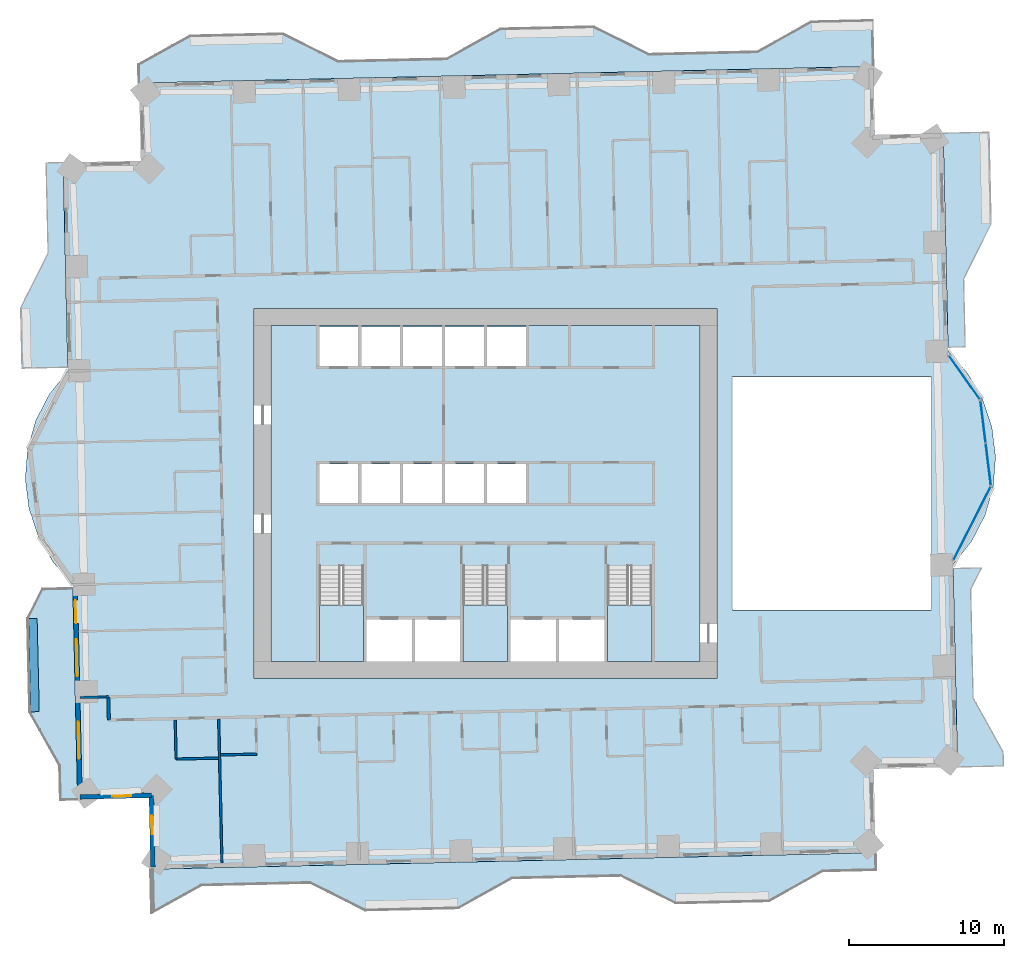
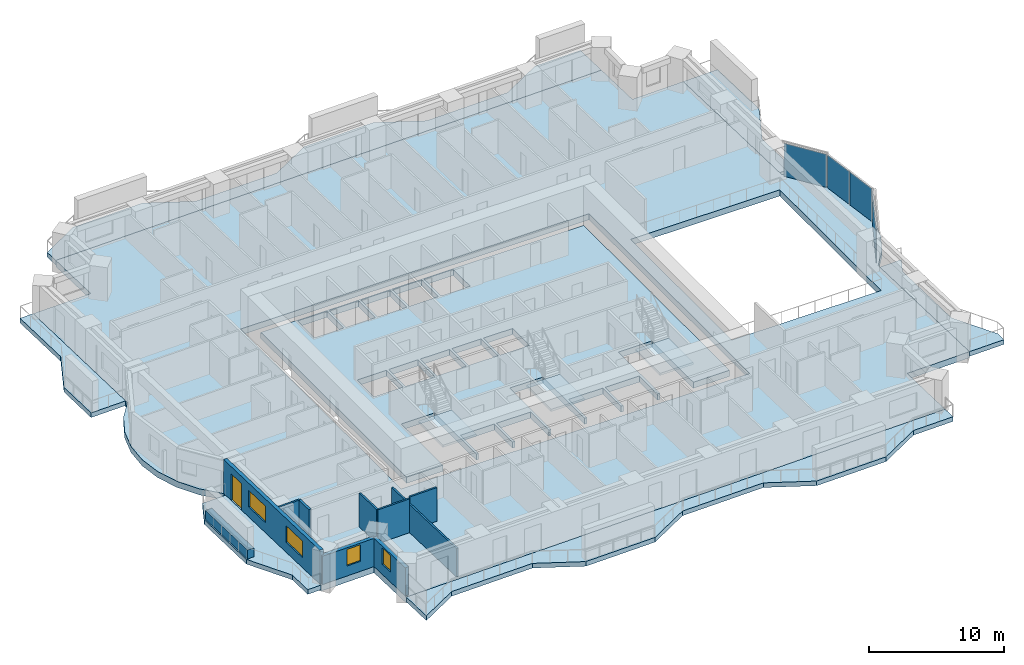
# One storey, part 5 of 17: 11 slabs, 10 walls, 4 plates, 4 windows, 1 door, 5 openings, 6 elements without a shape of their own.
"""IFC4 building model written with IfcOpenShell, lengths in metres."""

from ifc_helpers import new_model, si_unit, direction, frame, frame_2d, origin, origin_2d, place, context, subcontext, project, spatial, polyline, rectangle, outline, extrude, material, layer, layer_set, type_object, element, fill, aggregate, save


model = new_model("IFC4")

# Units and contexts
model_context = context("Model", 3, precision=1e-05, world=origin(), true_north=direction((0.0, 1.0)))
body_context = subcontext(model_context, "Body", "Model", "MODEL_VIEW")
ifc_project = project(units=[si_unit("LENGTHUNIT", "METRE"), si_unit("AREAUNIT", "SQUARE_METRE"), si_unit("VOLUMEUNIT", "CUBIC_METRE"), si_unit("PLANEANGLEUNIT", "RADIAN"), si_unit("MASSUNIT", "GRAM", prefix="KILO")], contexts=[model_context])

# Site, building, storey
site_placement = place(None, origin())
site = spatial("IfcSite", under=ifc_project, at=site_placement, CompositionType="ELEMENT")
building_placement = place(site_placement, origin())
building = spatial("IfcBuilding", under=site, at=building_placement, Name="Mangrove Gate Tower", CompositionType="ELEMENT")
storey_placement = place(building_placement, frame((0.0, 0.0, 86.5)))
storey = spatial("IfcBuildingStorey", under=building, at=storey_placement, Name="L21", CompositionType="ELEMENT", Elevation=86.5)

# Curtain wall, plate
ifc_material_1 = material(Name="Aluminium and glass curtain wall", Category="aluminium")
curtain_wall_type = type_object("IfcCurtainWallType", Name="Atrium garden-court glazing wall", PredefinedType="NOTDEFINED", material=ifc_material_1)
curtain_wall_1_placement = place(storey_placement, origin())
curtain_wall_1 = element("IfcCurtainWall", 1, at=curtain_wall_1_placement, inside=storey, type_object=curtain_wall_type, Name="Atrium garden-court glazing E1f1", PredefinedType="NOTDEFINED")
ifc_material_2 = material(Name="Laminated low-e glass", Category="glass")
ifc_layer_1 = layer(ifc_material_2, 0.031982421875)
ifc_layer_set_1 = layer_set([ifc_layer_1], Name="Atrium garden-court glazing panel 32")
plate_type = type_object("IfcPlateType", Name="Atrium garden-court glazing panel 32", PredefinedType="CURTAIN_PANEL", material=ifc_layer_set_1)
plate_1_placement = place(storey_placement, frame((31.310791015625, -1.928466796875, 0.0), z_axis=(0.0, 0.0, 1.0), x_axis=(0.452580762064, 0.891723417776, 0.0)))
plate_1 = element("IfcPlate", 2, at=plate_1_placement, type_object=plate_type, Name="CWA panel 1.1", PredefinedType="CURTAIN_PANEL", context=body_context, shape_type="SweptSolid", body=[
    extrude(rectangle(XDim=5.257568359375, YDim=0.031982421875, at=origin_2d()), origin(), (0.0, 0.0, 1.0), 2.97998046875),
])
aggregate(curtain_wall_1, [plate_1])

# Curtain wall, plates
curtain_wall_2_placement = place(storey_placement, origin())
curtain_wall_2 = element("IfcCurtainWall", 3, at=curtain_wall_2_placement, inside=storey, type_object=curtain_wall_type, Name="Atrium garden-court glazing E1f2", PredefinedType="NOTDEFINED")
plate_2_placement = place(storey_placement, frame((32.35986328125, 1.87841796875, 0.0), z_axis=(0.0, 0.0, 1.0), x_axis=(-0.122172286076, 0.992508908028, 0.0)))
plate_2 = element("IfcPlate", 4, at=plate_2_placement, type_object=plate_type, Name="CWA panel 1.1", PredefinedType="CURTAIN_PANEL", context=body_context, shape_type="SweptSolid", body=[
    extrude(rectangle(XDim=2.681640625, YDim=0.031982421875, at=origin_2d()), origin(), (0.0, 0.0, 1.0), 2.97998046875),
])
plate_3_placement = place(storey_placement, frame((32.023681640625, 4.609619140625, 0.0), z_axis=(0.0, 0.0, 1.0), x_axis=(-0.122172286076, 0.992508908028, 0.0)))
plate_3 = element("IfcPlate", 5, at=plate_3_placement, type_object=plate_type, Name="CWA panel 2.1", PredefinedType="CURTAIN_PANEL", context=body_context, shape_type="SweptSolid", body=[
    extrude(rectangle(XDim=2.681640625, YDim=0.031982421875, at=origin_2d()), origin(), (0.0, 0.0, 1.0), 2.97998046875),
])
aggregate(curtain_wall_2, [plate_2, plate_3])

# Curtain wall, plate
curtain_wall_3_placement = place(storey_placement, origin())
curtain_wall_3 = element("IfcCurtainWall", 6, at=curtain_wall_3_placement, inside=storey, type_object=curtain_wall_type, Name="Atrium garden-court glazing E1f3", PredefinedType="NOTDEFINED")
plate_4_placement = place(storey_placement, frame((30.81982421875, 7.465576171875, 0.0), z_axis=(0.0, 0.0, 1.0), x_axis=(-0.578109291006, 0.815959341911, 0.0)))
plate_4 = element("IfcPlate", 7, at=plate_4_placement, type_object=plate_type, Name="CWA panel 1.1", PredefinedType="CURTAIN_PANEL", context=body_context, shape_type="SweptSolid", body=[
    extrude(rectangle(XDim=3.42822265625, YDim=0.031982421875, at=origin_2d()), origin(), (0.0, 0.0, 1.0), 2.97998046875),
])
aggregate(curtain_wall_3, [plate_4])

# Slabs
ifc_material_3 = material(Name="Porcelain tile")
ifc_layer_2 = layer(ifc_material_3, 0.02001953125, Name="Tile finish")
ifc_material_4 = material(Name="Cement sand screed")
ifc_layer_3 = layer(ifc_material_4, 0.0400390625, Name="Screed laid to falls")
ifc_material_5 = material(Name="Bituminous waterproofing membrane")
ifc_layer_4 = layer(ifc_material_5, 0.00390625, Name="Waterproofing")
ifc_material_6 = material(Name="Concrete C40/50", Category="concrete")
ifc_layer_5 = layer(ifc_material_6, 0.340087890625, Name="Balcony structural slab")
ifc_material_7 = material(Name="Limestone", Category="masonry")
ifc_layer_6 = layer(ifc_material_7, 0.01611328125, Name="Soffit lining")
ifc_layer_set_2 = layer_set([ifc_layer_2, ifc_layer_3, ifc_layer_4, ifc_layer_5, ifc_layer_6], Name="Balcony slab 420 C40/50")
slab_type_1 = type_object("IfcSlabType", Name="Balcony slab 420 C40/50", PredefinedType="FLOOR", material=ifc_layer_set_2)
slab_1_placement = place(storey_placement, frame((0.0, 0.0, -0.419921875)))
element("IfcSlab", 8, at=slab_1_placement, inside=storey, type_object=slab_type_1, Name="BALCONY L21 E0", PredefinedType="FLOOR", context=body_context, shape_type="SweptSolid", body=[
    extrude(outline(polyline([(33.368896484375, -17.533935546875), (33.34912109375, -16.634033203125), (31.419921875, -13.177001953125), (31.260986328125, -6.178955078125), (31.9560546875, -4.7880859375), (30.090087890625, -4.8310546875), (30.1220703125, -6.205078125), (30.280029296875, -13.202880859375), (30.360107421875, -16.701904296875), (30.3798828125, -17.60205078125), (33.368896484375, -17.533935546875)])), origin(), (0.0, 0.0, 1.0), 0.419921875),
])
slab_2_placement = place(storey_placement, frame((0.0, 0.0, -0.419921875)))
element("IfcSlab", 9, at=slab_2_placement, inside=storey, type_object=slab_type_1, Name="BALCONY L21 E1", PredefinedType="FLOOR", context=body_context, shape_type="SweptSolid", body=[
    extrude(outline(polyline([(30.906982421875, 9.44189453125), (30.80810546875, 13.81591796875), (32.577880859375, 17.35693359375), (32.444091796875, 23.2548828125), (29.455078125, 23.18701171875), (29.587890625, 17.2890625), (29.66796875, 13.7900390625), (29.76708984375, 9.416015625), (30.906982421875, 9.44189453125)])), origin(), (0.0, 0.0, 1.0), 0.419921875),
])
slab_3_placement = place(storey_placement, frame((0.0, 0.0, -0.419921875)))
element("IfcSlab", 10, at=slab_3_placement, inside=storey, type_object=slab_type_1, Name="BALCONY L21 N0", PredefinedType="FLOOR", context=body_context, shape_type="SweptSolid", body=[
    extrude(outline(polyline([(24.887939453125, 30.47607421875), (20.952880859375, 30.385986328125), (17.49609375, 28.4580078125), (10.498046875, 28.299072265625), (6.95703125, 30.069091796875), (0.9580078125, 29.93310546875), (-2.4990234375, 28.00390625), (-9.4970703125, 27.845947265625), (-13.0380859375, 29.614990234375), (-19.037109375, 29.47900390625), (-22.33203125, 27.639892578125), (-22.303955078125, 26.4140625), (24.9560546875, 27.487060546875), (24.887939453125, 30.47607421875)])), origin(), (0.0, 0.0, 1.0), 0.419921875),
])
slab_4_placement = place(storey_placement, frame((0.0, 0.0, -0.419921875)))
element("IfcSlab", 11, at=slab_4_placement, inside=storey, type_object=slab_type_1, Name="BALCONY L21 W0", PredefinedType="FLOOR", context=body_context, shape_type="SweptSolid", body=[
    extrude(outline(polyline([(-28.3291015625, 21.27587890625), (-28.197021484375, 15.47802734375), (-29.967041015625, 11.93603515625), (-29.8798828125, 8.06298828125), (-26.889892578125, 8.131103515625), (-26.97802734375, 12.00390625), (-27.05810546875, 15.5029296875), (-27.18896484375, 21.302001953125), (-28.3291015625, 21.27587890625)])), origin(), (0.0, 0.0, 1.0), 0.419921875),
])
slab_5_placement = place(storey_placement, frame((0.0, 0.0, -0.419921875)))
element("IfcSlab", 12, at=slab_5_placement, inside=storey, type_object=slab_type_1, Name="BALCONY L21 W1", PredefinedType="FLOOR", context=body_context, shape_type="SweptSolid", body=[
    extrude(outline(polyline([(-28.56591796875, -6.162109375), (-29.513916015625, -8.05810546875), (-29.3779296875, -14.056884765625), (-27.448974609375, -17.513916015625), (-27.39892578125, -19.712890625), (-26.259033203125, -19.68798828125), (-26.30908203125, -17.488037109375), (-26.387939453125, -13.989013671875), (-26.52490234375, -7.990966796875), (-26.56689453125, -6.115966796875), (-28.56591796875, -6.162109375)])), origin(), (0.0, 0.0, 1.0), 0.419921875),
])
slab_6_placement = place(storey_placement, frame((0.0, 0.0, -0.419921875)))
element("IfcSlab", 13, at=slab_6_placement, inside=storey, type_object=slab_type_1, Name="BALCONY L21 S0", PredefinedType="FLOOR", context=body_context, shape_type="SweptSolid", body=[
    extrude(outline(polyline([(-21.490966796875, -27.031982421875), (-18.294921875, -25.248046875), (-11.297119140625, -25.089111328125), (-7.756103515625, -26.860107421875), (-1.757080078125, -26.722900390625), (1.699951171875, -24.794921875), (8.697998046875, -24.636962890625), (12.239013671875, -26.406005859375), (18.238037109375, -26.27001953125), (21.695068359375, -24.341064453125), (25.1298828125, -24.262939453125), (25.10400390625, -23.123046875), (-21.555908203125, -24.181884765625), (-21.490966796875, -27.031982421875)])), origin(), (0.0, 0.0, 1.0), 0.419921875),
])
ifc_material_8 = material(Name="Concrete C40/50", Category="concrete")
ifc_layer_7 = layer(ifc_material_8, 0.550048828125)
ifc_layer_set_3 = layer_set([ifc_layer_7], Name="Core floor slab 550 C40/50")
slab_type_2 = type_object("IfcSlabType", Name="Core floor slab 550 C40/50", PredefinedType="FLOOR", material=ifc_layer_set_3)
slab_7_placement = place(storey_placement, frame((0.0, 0.0, -0.550048828125)))
element("IfcSlab", 14, at=slab_7_placement, inside=storey, type_object=slab_type_2, Name="SLAB-L21-CORE-1", PredefinedType="FLOOR", context=body_context, shape_type="SweptSolid", body=[
    extrude(outline(polyline([(-13.800048828125, -10.800048828125), (-13.800048828125, 10.800048828125), (13.800048828125, 10.800048828125), (13.800048828125, -10.800048828125), (10.699951171875, -10.800048828125), (10.699951171875, -4.653076171875), (7.85009765625, -4.653076171875), (7.85009765625, -10.800048828125), (7.64990234375, -10.800048828125), (7.64990234375, -8.10009765625), (4.72509765625, -8.10009765625), (4.72509765625, -10.800048828125), (4.52490234375, -10.800048828125), (4.52490234375, -8.10009765625), (1.60009765625, -8.10009765625), (1.60009765625, -10.800048828125), (1.39990234375, -10.800048828125), (1.39990234375, -4.653076171875), (-1.449951171875, -4.653076171875), (-1.449951171875, -10.800048828125), (-1.64990234375, -10.800048828125), (-1.64990234375, -8.10009765625), (-4.550048828125, -8.10009765625), (-4.550048828125, -10.800048828125), (-4.75, -10.800048828125), (-4.75, -8.10009765625), (-7.64990234375, -8.10009765625), (-7.64990234375, -10.800048828125), (-7.85009765625, -10.800048828125), (-7.85009765625, -4.653076171875), (-10.699951171875, -4.653076171875), (-10.699951171875, -10.800048828125), (-13.800048828125, -10.800048828125)]), holes=[polyline([(-8.199951171875, -0.60009765625), (-8.199951171875, 1.89990234375), (-10.699951171875, 1.89990234375), (-10.699951171875, -0.60009765625), (-8.199951171875, -0.60009765625)]), polyline([(-5.5, -0.60009765625), (-5.5, 1.89990234375), (-8.0, 1.89990234375), (-8.0, -0.60009765625), (-5.5, -0.60009765625)]), polyline([(-2.800048828125, -0.60009765625), (-2.800048828125, 1.89990234375), (-5.300048828125, 1.89990234375), (-5.300048828125, -0.60009765625), (-2.800048828125, -0.60009765625)]), polyline([(-8.199951171875, 8.199951171875), (-8.199951171875, 10.699951171875), (-10.699951171875, 10.699951171875), (-10.699951171875, 8.199951171875), (-8.199951171875, 8.199951171875)]), polyline([(-5.5, 8.199951171875), (-5.5, 10.699951171875), (-8.0, 10.699951171875), (-8.0, 8.199951171875), (-5.5, 8.199951171875)]), polyline([(-2.800048828125, 8.199951171875), (-2.800048828125, 10.699951171875), (-5.300048828125, 10.699951171875), (-5.300048828125, 8.199951171875), (-2.800048828125, 8.199951171875)]), polyline([(-0.10009765625, -0.60009765625), (-0.10009765625, 1.89990234375), (-2.60009765625, 1.89990234375), (-2.60009765625, -0.60009765625), (-0.10009765625, -0.60009765625)]), polyline([(2.60009765625, -0.60009765625), (2.60009765625, 1.89990234375), (0.10009765625, 1.89990234375), (0.10009765625, -0.60009765625), (2.60009765625, -0.60009765625)]), polyline([(-2.60009765625, 8.199951171875), (-0.10009765625, 8.199951171875), (-0.10009765625, 10.699951171875), (-2.60009765625, 10.699951171875), (-2.60009765625, 8.199951171875)]), polyline([(0.10009765625, 8.199951171875), (2.60009765625, 8.199951171875), (2.60009765625, 10.699951171875), (0.10009765625, 10.699951171875), (0.10009765625, 8.199951171875)])]), origin(), (0.0, 0.0, 1.0), 0.550048828125),
])

# Stair, slab
ifc_material_9 = material(Name="Concrete C40/50", Category="concrete")
stair_type = type_object("IfcStairType", Name="Core stair 1350", PredefinedType="HALF_TURN_STAIR", material=ifc_material_9)
stair_1_placement = place(storey_placement, origin())
stair_1 = element("IfcStair", 15, at=stair_1_placement, inside=storey, type_object=stair_type, Name="L21 Stair 1", PredefinedType="HALF_TURN_STAIR")
ifc_material_10 = material(Name="Concrete C40/50", Category="concrete")
ifc_layer_8 = layer(ifc_material_10, 0.199951171875)
ifc_layer_set_4 = layer_set([ifc_layer_8], Name="Core stair landing 200")
slab_type_3 = type_object("IfcSlabType", Name="Core stair landing 200", PredefinedType="LANDING", material=ifc_layer_set_4)
slab_8_placement = place(storey_placement, frame((0.0, 0.0, 1.60009765625)))
slab_8 = element("IfcSlab", 16, at=slab_8_placement, type_object=slab_type_3, Name="ST1 landing 1", PredefinedType="LANDING", context=body_context, shape_type="SweptSolid", body=[
    extrude(outline(polyline([(-10.699951171875, -7.169921875), (-10.699951171875, -10.800048828125), (-7.85009765625, -10.800048828125), (-7.85009765625, -7.169921875), (-10.699951171875, -7.169921875)])), origin(), (0.0, 0.0, 1.0), 0.199951171875),
])
aggregate(stair_1, [slab_8])

stair_2_placement = place(storey_placement, origin())
stair_2 = element("IfcStair", 17, at=stair_2_placement, inside=storey, type_object=stair_type, Name="L21 Stair 2", PredefinedType="HALF_TURN_STAIR")
slab_9_placement = place(storey_placement, frame((0.0, 0.0, 1.60009765625)))
slab_9 = element("IfcSlab", 18, at=slab_9_placement, type_object=slab_type_3, Name="ST2 landing 1", PredefinedType="LANDING", context=body_context, shape_type="SweptSolid", body=[
    extrude(outline(polyline([(-1.449951171875, -7.169921875), (-1.449951171875, -10.800048828125), (1.39990234375, -10.800048828125), (1.39990234375, -7.169921875), (-1.449951171875, -7.169921875)])), origin(), (0.0, 0.0, 1.0), 0.199951171875),
])
aggregate(stair_2, [slab_9])

stair_3_placement = place(storey_placement, origin())
stair_3 = element("IfcStair", 19, at=stair_3_placement, inside=storey, type_object=stair_type, Name="L21 Stair 3", PredefinedType="HALF_TURN_STAIR")
slab_10_placement = place(storey_placement, frame((0.0, 0.0, 1.60009765625)))
slab_10 = element("IfcSlab", 20, at=slab_10_placement, type_object=slab_type_3, Name="ST3 landing 1", PredefinedType="LANDING", context=body_context, shape_type="SweptSolid", body=[
    extrude(outline(polyline([(7.85009765625, -7.169921875), (7.85009765625, -10.800048828125), (10.699951171875, -10.800048828125), (10.699951171875, -7.169921875), (7.85009765625, -7.169921875)])), origin(), (0.0, 0.0, 1.0), 0.199951171875),
])
aggregate(stair_3, [slab_10])

# Slab
ifc_material_11 = material(Name="Concrete C40/50", Category="concrete")
ifc_layer_9 = layer(ifc_material_11, 0.550048828125)
ifc_layer_set_5 = layer_set([ifc_layer_9], Name="Floor slab 550 C40/50")
slab_type_4 = type_object("IfcSlabType", Name="Floor slab 550 C40/50", PredefinedType="FLOOR", material=ifc_layer_set_5)
slab_11_placement = place(storey_placement, frame((0.0, 0.0, -0.550048828125)))
element("IfcSlab", 21, at=slab_11_placement, inside=storey, type_object=slab_type_4, Name="Floor slab L21", PredefinedType="FLOOR", context=body_context, shape_type="SweptSolid", body=[
    extrude(outline(polyline([(-21.555908203125, -24.181884765625), (25.10400390625, -23.123046875), (24.981689453125, -17.724609375), (30.380126953125, -17.60205078125), (30.084716796875, -4.58056640625), (31.28125, -3.08837890625), (32.158203125, -1.388427734375), (32.6806640625, 0.45166015625), (32.827880859375, 2.358642578125), (32.59423828125, 4.257080078125), (31.98876953125, 6.071533203125), (31.03564453125, 7.72998046875), (29.772705078125, 9.16650390625), (29.45458984375, 23.1875), (25.0556640625, 23.087646484375), (24.955810546875, 27.486572265625), (-22.303955078125, 26.4140625), (-22.1904296875, 21.415283203125), (-27.189208984375, 21.302001953125), (-26.884765625, 7.880615234375), (-28.081298828125, 6.388427734375), (-28.958251953125, 4.6884765625), (-29.480712890625, 2.848388671875), (-29.6279296875, 0.94140625), (-29.394287109375, -0.95703125), (-28.788818359375, -2.771484375), (-27.835693359375, -4.429931640625), (-26.57275390625, -5.866455078125), (-26.259033203125, -19.6875), (-21.66015625, -19.583251953125), (-21.555908203125, -24.181884765625)]), holes=[polyline([(15.89990234375, 7.5), (28.658935546875, 7.5), (28.658935546875, -7.5), (15.89990234375, -7.5), (15.89990234375, 7.5)]), polyline([(-14.89990234375, -11.89990234375), (-14.89990234375, 11.89990234375), (14.89990234375, 11.89990234375), (14.89990234375, -11.89990234375), (-14.89990234375, -11.89990234375)])]), origin(), (0.0, 0.0, 1.0), 0.550048828125),
])

# Wall
ifc_material_12 = material(Name="Gypsum board on steel stud, EI 60", Category="steel")
ifc_layer_10 = layer(ifc_material_12, 0.199951171875)
ifc_layer_set_6 = layer_set([ifc_layer_10], Name="Corridor wall EI 60")
wall_type_1 = type_object("IfcWallType", Name="Corridor wall EI 60", PredefinedType="PARTITIONING", material=ifc_layer_set_6)
wall_1_placement = place(storey_placement, frame((-24.248046875, -14.591064453125, 0.0), z_axis=(0.0, 0.0, 1.0), x_axis=(-0.022617910375, 0.999744182344, 0.0)))
element("IfcWall", 22, at=wall_1_placement, inside=storey, type_object=wall_type_1, Name="WALL-L21-031", PredefinedType="PARTITIONING", context=body_context, shape_type="SweptSolid", body=[
    extrude(rectangle(XDim=1.50048828125, YDim=0.199951171875, at=frame_2d((0.750244140625, 0.0))), origin(), (0.0, 0.0, 1.0), 3.050048828125),
])

# Wall, openings, door, windows
ifc_layer_11 = layer(ifc_material_7, 0.0400390625, Name="Limestone cladding")
ifc_material_13 = material(Name="Ventilated air gap")
ifc_layer_12 = layer(ifc_material_13, 0.0400390625, Name="Ventilated cavity")
ifc_material_14 = material(Name="Mineral wool insulation")
ifc_layer_13 = layer(ifc_material_14, 0.06005859375, Name="Insulation")
ifc_material_15 = material(Name="Breather membrane")
ifc_layer_14 = layer(ifc_material_15, 0.001953125, Name="Breather membrane")
ifc_material_16 = material(Name="Concrete C20/25 blockwork", Category="masonry")
ifc_layer_15 = layer(ifc_material_16, 0.14990234375, Name="Blockwork backing wall")
ifc_material_17 = material(Name="Gypsum plaster")
ifc_layer_16 = layer(ifc_material_17, 0.008056640625, Name="Internal plaster")
ifc_layer_set_7 = layer_set([ifc_layer_11, ifc_layer_12, ifc_layer_13, ifc_layer_14, ifc_layer_15, ifc_layer_16], Name="External wall 300 limestone cladding")
wall_type_2 = type_object("IfcWallType", Name="External wall 300 limestone cladding", PredefinedType="SOLIDWALL", material=ifc_layer_set_7)
wall_2_placement = place(storey_placement, frame((-26.424072265625, -5.80810546875, 0.0), z_axis=(0.0, 0.0, 1.0), x_axis=(0.022654755793, -0.999743348085, 0.0)))
wall_2 = element("IfcWall", 23, at=wall_2_placement, inside=storey, type_object=wall_type_2, Name="WALL-L21-W10", PredefinedType="SOLIDWALL", context=body_context, shape_type="SweptSolid", body=[
    extrude(rectangle(XDim=13.729248046875, YDim=0.300048828125, at=frame_2d((6.86474609375, 0.0))), origin(), (0.0, 0.0, 1.0), 3.050048828125),
])
opening_1_placement = place(wall_2_placement, frame((1.053955078125, 0.0, 0.0)))
opening_1 = element("IfcOpeningElement", 24, at=opening_1_placement, cuts=wall_2, Name="Opening BD1", PredefinedType="OPENING", context=body_context, shape_type="SweptSolid", body=[
    extrude(rectangle(XDim=1.5, YDim=2.39990234375, at=frame_2d((0.75, 1.199951171875))), frame((0.0, 0.159912109375, 0.0), z_axis=(0.0, -1.0, 0.0), x_axis=(1.0, 0.0, 0.0)), (0.0, 0.0, 1.0), 0.320068359375),
])
opening_2_placement = place(wall_2_placement, frame((3.56005859375, 0.0, 0.89990234375)))
opening_2 = element("IfcOpeningElement", 25, at=opening_2_placement, cuts=wall_2, Name="Opening W2", PredefinedType="OPENING", context=body_context, shape_type="SweptSolid", body=[
    extrude(rectangle(XDim=2.39990234375, YDim=1.5, at=frame_2d((1.199951171875, 0.75))), frame((0.0, 0.159912109375, 0.0), z_axis=(0.0, -1.0, 0.0), x_axis=(1.0, 0.0, 0.0)), (0.0, 0.0, 1.0), 0.320068359375),
])
opening_3_placement = place(wall_2_placement, frame((8.882080078125, 0.0, 0.89990234375)))
opening_3 = element("IfcOpeningElement", 26, at=opening_3_placement, cuts=wall_2, Name="Opening W2", PredefinedType="OPENING", context=body_context, shape_type="SweptSolid", body=[
    extrude(rectangle(XDim=2.39990234375, YDim=1.5, at=frame_2d((1.199951171875, 0.75))), frame((0.0, 0.159912109375, 0.0), z_axis=(0.0, -1.0, 0.0), x_axis=(1.0, 0.0, 0.0)), (0.0, 0.0, 1.0), 0.320068359375),
])
ifc_material_18 = material(Name="Aluminium frame with laminated clear glass", Category="aluminium")
door_type = type_object("IfcDoorType", Name="Balcony sliding door 1500x2400", OperationType="SLIDING_TO_LEFT", PredefinedType="DOOR", material=ifc_material_18)
door_placement = place(opening_1_placement, origin())
door = element("IfcDoor", 27, at=door_placement, inside=storey, type_object=door_type, Name="DOOR-L21-W10-1", OperationType="SLIDING_TO_LEFT", OverallHeight=2.39990234375, OverallWidth=1.5, PredefinedType="DOOR", context=body_context, shape_type="SweptSolid", body=[
    extrude(rectangle(XDim=1.5, YDim=2.39990234375, at=frame_2d((0.75, 1.199951171875))), frame((0.0, 0.02490234375, 0.0), z_axis=(0.0, -1.0, 0.0), x_axis=(1.0, 0.0, 0.0)), (0.0, 0.0, 1.0), 0.050048828125),
])
fill(opening_1, door)
ifc_material_19 = material(Name="Aluminium frame with double-glazed low-e glass", Category="aluminium")
window_type_1 = type_object("IfcWindowType", Name="Corner room window 2400x1500", PartitioningType="DOUBLE_PANEL_VERTICAL", PredefinedType="WINDOW", material=ifc_material_19)
window_1_placement = place(opening_2_placement, origin())
window_1 = element("IfcWindow", 28, at=window_1_placement, inside=storey, type_object=window_type_1, Name="WIN-L21-W10-2", OverallHeight=1.5, OverallWidth=2.39990234375, PartitioningType="DOUBLE_PANEL_VERTICAL", PredefinedType="WINDOW", context=body_context, shape_type="SweptSolid", body=[
    extrude(rectangle(XDim=2.39990234375, YDim=1.5, at=frame_2d((1.199951171875, 0.75))), frame((0.0, 0.030029296875, 0.0), z_axis=(0.0, -1.0, 0.0), x_axis=(1.0, 0.0, 0.0)), (0.0, 0.0, 1.0), 0.06005859375),
])
fill(opening_2, window_1)
window_2_placement = place(opening_3_placement, origin())
window_2 = element("IfcWindow", 29, at=window_2_placement, inside=storey, type_object=window_type_1, Name="WIN-L21-W10-3", OverallHeight=1.5, OverallWidth=2.39990234375, PartitioningType="DOUBLE_PANEL_VERTICAL", PredefinedType="WINDOW", context=body_context, shape_type="SweptSolid", body=[
    extrude(rectangle(XDim=2.39990234375, YDim=1.5, at=frame_2d((1.199951171875, 0.75))), frame((0.0, 0.030029296875, 0.0), z_axis=(0.0, -1.0, 0.0), x_axis=(1.0, 0.0, 0.0)), (0.0, 0.0, 1.0), 0.06005859375),
])
fill(opening_3, window_2)

# Wall, opening, window
wall_3_placement = place(storey_placement, frame((-26.113037109375, -19.533935546875, 0.0), z_axis=(0.0, 0.0, 1.0), x_axis=(0.999744404568, 0.02260808559, 0.0)))
wall_3 = element("IfcWall", 30, at=wall_3_placement, inside=storey, type_object=wall_type_2, Name="WALL-L21-S11", PredefinedType="SOLIDWALL", context=body_context, shape_type="SweptSolid", body=[
    extrude(rectangle(XDim=4.600341796875, YDim=0.300048828125, at=frame_2d((2.30029296875, 0.0))), origin(), (0.0, 0.0, 1.0), 2.550048828125),
])
opening_4_placement = place(wall_3_placement, frame((2.097900390625, 0.0, 0.89990234375)))
opening_4 = element("IfcOpeningElement", 31, at=opening_4_placement, cuts=wall_3, Name="Opening W1", PredefinedType="OPENING", context=body_context, shape_type="SweptSolid", body=[
    extrude(rectangle(XDim=1.199951171875, YDim=1.5, at=frame_2d((0.60009765625, 0.75))), frame((0.0, 0.159912109375, 0.0), z_axis=(0.0, -1.0, 0.0), x_axis=(1.0, 0.0, 0.0)), (0.0, 0.0, 1.0), 0.320068359375),
])
ifc_material_20 = material(Name="Aluminium frame with double-glazed low-e glass", Category="aluminium")
window_type_2 = type_object("IfcWindowType", Name="Side lite 1200x1500", PartitioningType="SINGLE_PANEL", PredefinedType="WINDOW", material=ifc_material_20)
window_3_placement = place(opening_4_placement, origin())
window_3 = element("IfcWindow", 32, at=window_3_placement, inside=storey, type_object=window_type_2, Name="WIN-L21-S11-1", OverallHeight=1.5, OverallWidth=1.199951171875, PartitioningType="SINGLE_PANEL", PredefinedType="WINDOW", context=body_context, shape_type="SweptSolid", body=[
    extrude(rectangle(XDim=1.199951171875, YDim=1.5, at=frame_2d((0.60009765625, 0.75))), frame((0.0, 0.030029296875, 0.0), z_axis=(0.0, -1.0, 0.0), x_axis=(1.0, 0.0, 0.0)), (0.0, 0.0, 1.0), 0.06005859375),
])
fill(opening_4, window_3)

wall_4_placement = place(storey_placement, frame((-21.513916015625, -19.429931640625, 0.0), z_axis=(0.0, 0.0, 1.0), x_axis=(0.022820258049, -0.999739584003, 0.0)))
wall_4 = element("IfcWall", 33, at=wall_4_placement, inside=storey, type_object=wall_type_2, Name="WALL-L21-W12", PredefinedType="SOLIDWALL", context=body_context, shape_type="SweptSolid", body=[
    extrude(rectangle(XDim=4.600341796875, YDim=0.300048828125, at=frame_2d((2.30029296875, 0.0))), origin(), (0.0, 0.0, 1.0), 2.550048828125),
])
opening_5_placement = place(wall_4_placement, frame((1.303955078125, 0.0, 0.89990234375)))
opening_5 = element("IfcOpeningElement", 34, at=opening_5_placement, cuts=wall_4, Name="Opening W1", PredefinedType="OPENING", context=body_context, shape_type="SweptSolid", body=[
    extrude(rectangle(XDim=1.199951171875, YDim=1.5, at=frame_2d((0.60009765625, 0.75))), frame((0.0, 0.159912109375, 0.0), z_axis=(0.0, -1.0, 0.0), x_axis=(1.0, 0.0, 0.0)), (0.0, 0.0, 1.0), 0.320068359375),
])
window_4_placement = place(opening_5_placement, origin())
window_4 = element("IfcWindow", 35, at=window_4_placement, inside=storey, type_object=window_type_2, Name="WIN-L21-W12-1", OverallHeight=1.5, OverallWidth=1.199951171875, PartitioningType="SINGLE_PANEL", PredefinedType="WINDOW", context=body_context, shape_type="SweptSolid", body=[
    extrude(rectangle(XDim=1.199951171875, YDim=1.5, at=frame_2d((0.60009765625, 0.75))), frame((0.0, 0.030029296875, 0.0), z_axis=(0.0, -1.0, 0.0), x_axis=(1.0, 0.0, 0.0)), (0.0, 0.0, 1.0), 0.06005859375),
])
fill(opening_5, window_4)

# Walls
ifc_material_21 = material(Name="Gypsum board on steel stud, EI 60", Category="steel")
ifc_layer_17 = layer(ifc_material_21, 0.14990234375)
ifc_layer_set_8 = layer_set([ifc_layer_17], Name="Party wall 150 EI 60")
wall_type_3 = type_object("IfcWallType", Name="Party wall 150 EI 60", PredefinedType="PARTITIONING", material=ifc_layer_set_8)
wall_5_placement = place(storey_placement, frame((-16.968017578125, -23.778076171875, 0.0), z_axis=(0.0, 0.0, 1.0), x_axis=(-0.022697424684, 0.999742380272, 0.0)))
element("IfcWall", 36, at=wall_5_placement, inside=storey, type_object=wall_type_3, Name="WALL-L21-001", PredefinedType="PARTITIONING", context=body_context, shape_type="SweptSolid", body=[
    extrude(rectangle(XDim=9.25048828125, YDim=0.14990234375, at=frame_2d((4.625244140625, 0.0))), origin(), (0.0, 0.0, 1.0), 2.550048828125),
])
wall_6_placement = place(storey_placement, frame((-19.919921875, -17.093017578125, 0.0), z_axis=(0.0, 0.0, 1.0), x_axis=(-0.022854521249, 0.999738801317, 0.0)))
element("IfcWall", 37, at=wall_6_placement, inside=storey, type_object=wall_type_3, Name="WALL-L21-018", PredefinedType="PARTITIONING", context=body_context, shape_type="SweptSolid", body=[
    extrude(rectangle(XDim=2.499755859375, YDim=0.14990234375, at=frame_2d((1.25, 0.0))), origin(), (0.0, 0.0, 1.0), 3.050048828125),
])
wall_7_placement = place(storey_placement, frame((-19.916015625, -17.093017578125, 0.0), z_axis=(0.0, 0.0, 1.0), x_axis=(0.999741002259, 0.022758040381, 0.0)))
element("IfcWall", 38, at=wall_7_placement, inside=storey, type_object=wall_type_3, Name="WALL-L21-019", PredefinedType="PARTITIONING", context=body_context, shape_type="SweptSolid", body=[
    extrude(rectangle(XDim=2.724853515625, YDim=0.14990234375, at=frame_2d((1.3623046875, 0.0))), origin(), (0.0, 0.0, 1.0), 3.050048828125),
])
wall_8_placement = place(storey_placement, frame((-17.047119140625, -16.827880859375, 0.0), z_axis=(0.0, 0.0, 1.0), x_axis=(0.99974053329, 0.022778632478, 0.0)))
element("IfcWall", 39, at=wall_8_placement, inside=storey, type_object=wall_type_3, Name="WALL-L21-020", PredefinedType="PARTITIONING", context=body_context, shape_type="SweptSolid", body=[
    extrude(rectangle(XDim=2.32568359375, YDim=0.14990234375, at=frame_2d((1.162841796875, 0.0))), origin(), (0.0, 0.0, 1.0), 3.050048828125),
])
wall_9_placement = place(storey_placement, frame((-26.10791015625, -13.132080078125, 0.0), z_axis=(0.0, 0.0, 1.0), x_axis=(0.999748611628, 0.02242127443, 0.0)))
element("IfcWall", 40, at=wall_9_placement, inside=storey, type_object=wall_type_3, Name="WALL-L21-033", PredefinedType="PARTITIONING", context=body_context, shape_type="SweptSolid", body=[
    extrude(rectangle(XDim=1.829345703125, YDim=0.14990234375, at=frame_2d((0.91455078125, 0.0))), origin(), (0.0, 0.0, 1.0), 3.050048828125),
])
ifc_material_22 = material(Name="Concrete C32/40", Category="concrete")
ifc_layer_18 = layer(ifc_material_22, 0.199951171875, Name="Planter trough wall")
ifc_layer_19 = layer(ifc_material_5, 0.0048828125, Name="Waterproofing")
ifc_material_23 = material(Name="Drainage board and gravel")
ifc_layer_20 = layer(ifc_material_23, 0.044921875, Name="Drainage layer")
ifc_material_24 = material(Name="Planting soil")
ifc_layer_21 = layer(ifc_material_24, 0.300048828125, Name="Growing medium")
ifc_layer_set_9 = layer_set([ifc_layer_18, ifc_layer_19, ifc_layer_20, ifc_layer_21], Name="Planter wall 550 C32/40")
wall_type_4 = type_object("IfcWallType", Name="Planter wall 550 C32/40", PredefinedType="USERDEFINED", material=ifc_layer_set_9)
wall_10_placement = place(storey_placement, frame((-29.0029296875, -14.049072265625, 0.0), z_axis=(0.0, 0.0, 1.0), x_axis=(-0.022662255828, 0.999743178102, 0.0)))
element("IfcWall", 41, at=wall_10_placement, inside=storey, type_object=wall_type_4, Name="PLANTER L21 W1.1", ObjectType="PLANTER", PredefinedType="USERDEFINED", context=body_context, shape_type="SweptSolid", body=[
    extrude(rectangle(XDim=6.00048828125, YDim=0.550048828125, at=frame_2d((3.000244140625, 0.0))), origin(), (0.0, 0.0, 1.0), 0.800048828125),
])

save(model, "model.ifc")
